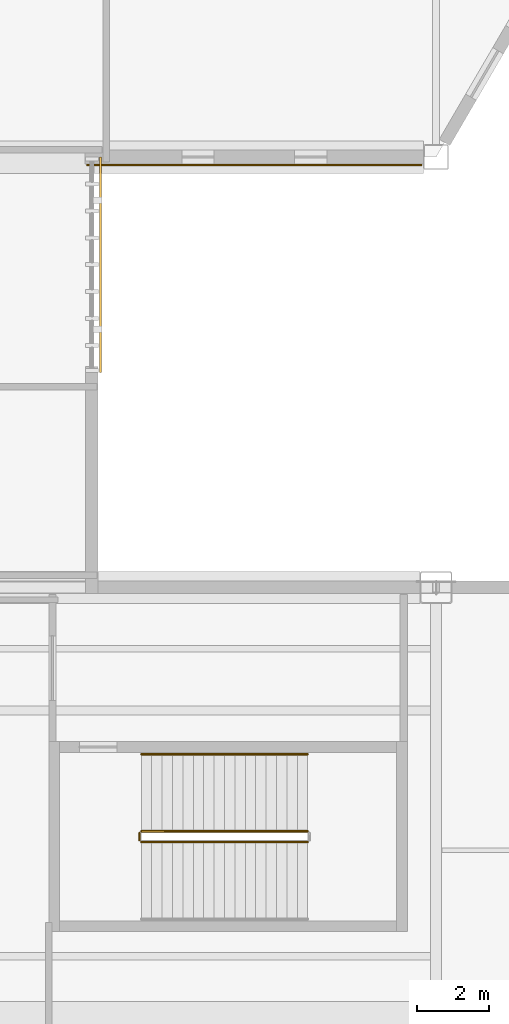
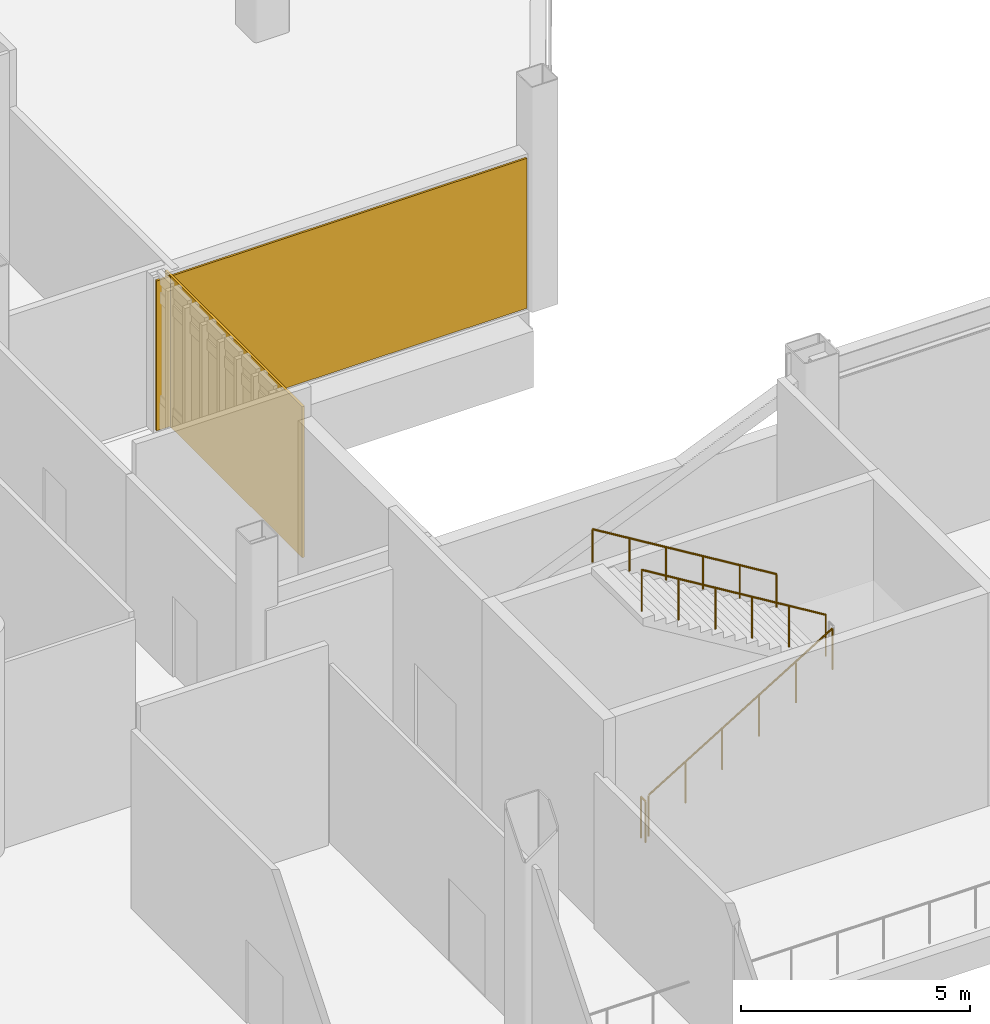
# One storey, part 127 of 135: 4 railings, 1 covering, 1 shading device.
"""IFC4 building model written with IfcOpenShell, lengths in metres."""

from ifc_helpers import new_model, si_unit, direction, frame, origin, origin_2d, place, context, subcontext, project, spatial, rectangle, circle, extrude, material, layer, layer_set, type_object, element, save


model = new_model("IFC4")

# Units and contexts
model_context = context("Model", 3, precision=1e-05, world=origin(), true_north=direction((0.0, 1.0)))
body_context = subcontext(model_context, "Body", "Model", "MODEL_VIEW")
ifc_project = project(units=[si_unit("LENGTHUNIT", "METRE"), si_unit("AREAUNIT", "SQUARE_METRE"), si_unit("VOLUMEUNIT", "CUBIC_METRE"), si_unit("PLANEANGLEUNIT", "RADIAN"), si_unit("MASSUNIT", "GRAM", prefix="KILO")], contexts=[model_context])

# Site, building, storey
site_placement = place(None, origin())
site = spatial("IfcSite", under=ifc_project, at=site_placement, CompositionType="ELEMENT")
building_placement = place(site_placement, origin())
building = spatial("IfcBuilding", under=site, at=building_placement, Name="Larkvane Passage Sports Hall", CompositionType="ELEMENT")
storey_placement = place(building_placement, frame((0.0, 0.0, 10.800048828125)))
storey = spatial("IfcBuildingStorey", under=building, at=storey_placement, Name="L02", CompositionType="ELEMENT", Elevation=10.800048828125)

# Covering
ifc_material_1 = material(Name="Perforated anodised aluminium 5052-H32", Category="aluminium")
ifc_layer_1 = layer(ifc_material_1, 0.050048828125)
ifc_layer_set_1 = layer_set([ifc_layer_1], Name="Perforated anodised aluminium 5052-H32")
covering_type = type_object("IfcCoveringType", Name="COV-MESH-VEIL", PredefinedType="CLADDING", material=ifc_layer_set_1)
covering_placement = place(storey_placement, frame((140.53466796875, 63.382568359375, 0.074951171875), z_axis=(0.0, 0.0, 1.0), x_axis=(-1.0, 0.0, 0.0)))
element("IfcCovering", 1, at=covering_placement, inside=storey, type_object=covering_type, Name="Perforated cladding cassette L02-116", PredefinedType="CLADDING", context=body_context, shape_type="SweptSolid", body=[
    extrude(rectangle(XDim=9.3388671875, YDim=0.050048828125, at=origin_2d()), origin(), (0.0, 0.0, 1.0), 3.998046875),
])

# Railings
ifc_material_2 = material(Name="Steel S355JR", Category="steel")
railing_type_1 = type_object("IfcRailingType", Name="RL-GUARD-1120", PredefinedType="GUARDRAIL", material=ifc_material_2)
railing_1_placement = place(storey_placement, frame((137.3798828125, 44.5, 0.176513671875)))
element("IfcRailing", 2, at=railing_1_placement, inside=storey, type_object=railing_type_1, Name="L02 ST-07 stair guard 1", PredefinedType="GUARDRAIL", context=body_context, shape_type="SweptSolid", body=[
    extrude(circle(Radius=0.02392578125, at=origin_2d()), frame((0.001708984375, 0.0, 1.09716796875), z_axis=(0.854275794217, 0.0, 0.51982003368), x_axis=(0.0, 1.0, 0.0)), (0.0, 0.0, 1.0), 5.427734375),
    extrude(circle(Radius=0.02099609375, at=origin_2d()), origin(), (0.0, 0.0, 1.0), 1.072021484375),
    extrude(circle(Radius=0.02099609375, at=origin_2d()), frame((0.927978515625, 0.0, 0.564697265625)), (0.0, 0.0, 1.0), 1.072021484375),
    extrude(circle(Radius=0.02099609375, at=origin_2d()), frame((1.85595703125, 0.0, 1.12939453125)), (0.0, 0.0, 1.0), 1.072021484375),
    extrude(circle(Radius=0.02099609375, at=origin_2d()), frame((2.7841796875, 0.0, 1.694091796875)), (0.0, 0.0, 1.0), 1.072021484375),
    extrude(circle(Radius=0.02099609375, at=origin_2d()), frame((3.712158203125, 0.0, 2.2587890625)), (0.0, 0.0, 1.0), 1.072021484375),
    extrude(circle(Radius=0.02099609375, at=origin_2d()), frame((4.64013671875, 0.0, 2.823486328125)), (0.0, 0.0, 1.0), 1.072021484375),
])
railing_2_placement = place(storey_placement, frame((142.02001953125, 44.800048828125, 3.176513671875)))
element("IfcRailing", 3, at=railing_2_placement, inside=storey, type_object=railing_type_1, Name="L02 ST-07 stair guard 3", PredefinedType="GUARDRAIL", context=body_context, shape_type="SweptSolid", body=[
    extrude(circle(Radius=0.02392578125, at=origin_2d()), frame((-0.001708984375, 0.0, 1.09716796875), z_axis=(-0.854275794217, 0.0, 0.51982003368), x_axis=(0.0, -1.0, 0.0)), (0.0, 0.0, 1.0), 5.427734375),
    extrude(circle(Radius=0.02099609375, at=origin_2d()), origin(), (0.0, 0.0, 1.0), 1.072021484375),
    extrude(circle(Radius=0.02099609375, at=origin_2d()), frame((-0.927978515625, 0.0, 0.564697265625)), (0.0, 0.0, 1.0), 1.072021484375),
    extrude(circle(Radius=0.02099609375, at=origin_2d()), frame((-1.85595703125, 0.0, 1.12939453125)), (0.0, 0.0, 1.0), 1.072021484375),
    extrude(circle(Radius=0.02099609375, at=origin_2d()), frame((-2.7841796875, 0.0, 1.694091796875)), (0.0, 0.0, 1.0), 1.072021484375),
    extrude(circle(Radius=0.02099609375, at=origin_2d()), frame((-3.712158203125, 0.0, 2.2587890625)), (0.0, 0.0, 1.0), 1.072021484375),
    extrude(circle(Radius=0.02099609375, at=origin_2d()), frame((-4.64013671875, 0.0, 2.823486328125)), (0.0, 0.0, 1.0), 1.072021484375),
])
railing_3_placement = place(storey_placement, frame((137.330078125, 44.550048828125, 0.0)))
element("IfcRailing", 4, at=railing_3_placement, inside=storey, type_object=railing_type_1, Name="L02 ST-07 stair guard 4", PredefinedType="GUARDRAIL", context=body_context, shape_type="SweptSolid", body=[
    extrude(circle(Radius=0.02392578125, at=origin_2d()), frame((0.0, 0.001953125, 1.09619140625), z_axis=(0.0, 1.0, 0.0), x_axis=(-1.0, 0.0, 0.0)), (0.0, 0.0, 1.0), 0.196044921875),
    extrude(circle(Radius=0.02099609375, at=origin_2d()), origin(), (0.0, 0.0, 1.0), 1.072021484375),
    extrude(circle(Radius=0.02099609375, at=origin_2d()), frame((0.0, 0.199951171875, 0.0)), (0.0, 0.0, 1.0), 1.072021484375),
])
ifc_material_3 = material(Name="Stainless steel S355JR", Category="steel")
railing_type_2 = type_object("IfcRailingType", Name="RL-HAND-920", PredefinedType="HANDRAIL", material=ifc_material_3)
railing_4_placement = place(storey_placement, frame((142.02001953125, 46.949951171875, 3.176513671875)))
element("IfcRailing", 5, at=railing_4_placement, inside=storey, type_object=railing_type_2, Name="L02 ST-07 stair handrail 2", PredefinedType="HANDRAIL", context=body_context, shape_type="SweptSolid", body=[
    extrude(circle(Radius=0.02392578125, at=origin_2d()), frame((-0.001708984375, 0.0, 0.876953125), z_axis=(-0.854275794217, 0.0, 0.51982003368), x_axis=(0.0, -1.0, 0.0)), (0.0, 0.0, 1.0), 5.427734375),
    extrude(circle(Radius=0.02099609375, at=origin_2d()), origin(), (0.0, 0.0, 1.0), 0.851806640625),
    extrude(circle(Radius=0.02099609375, at=origin_2d()), frame((-0.927978515625, 0.0, 0.564697265625)), (0.0, 0.0, 1.0), 0.851806640625),
    extrude(circle(Radius=0.02099609375, at=origin_2d()), frame((-1.85595703125, 0.0, 1.12939453125)), (0.0, 0.0, 1.0), 0.851806640625),
    extrude(circle(Radius=0.02099609375, at=origin_2d()), frame((-2.7841796875, 0.0, 1.694091796875)), (0.0, 0.0, 1.0), 0.851806640625),
    extrude(circle(Radius=0.02099609375, at=origin_2d()), frame((-3.712158203125, 0.0, 2.2587890625)), (0.0, 0.0, 1.0), 0.851806640625),
    extrude(circle(Radius=0.02099609375, at=origin_2d()), frame((-4.64013671875, 0.0, 2.823486328125)), (0.0, 0.0, 1.0), 0.851806640625),
])

# Shading device
ifc_layer_2 = layer(ifc_material_1, 0.06005859375)
ifc_layer_set_2 = layer_set([ifc_layer_2], Name="Perforated anodised aluminium 5052-H32")
shading_device_type = type_object("IfcShadingDeviceType", Name="SHD-VEIL-PERF", PredefinedType="SHUTTER", material=ifc_layer_set_2)
shading_device_placement = place(storey_placement, frame((136.239990234375, 60.60009765625, 0.06005859375), z_axis=(0.0, 0.0, 1.0), x_axis=(0.0, -1.0, 0.0)))
element("IfcShadingDevice", 6, at=shading_device_placement, inside=storey, type_object=shading_device_type, Name="Solar veil screen L02-050", PredefinedType="SHUTTER", context=body_context, shape_type="SweptSolid", body=[
    extrude(rectangle(XDim=6.0, YDim=0.06005859375, at=origin_2d()), origin(), (0.0, 0.0, 1.0), 4.028076171875),
])

save(model, "model.ifc")
